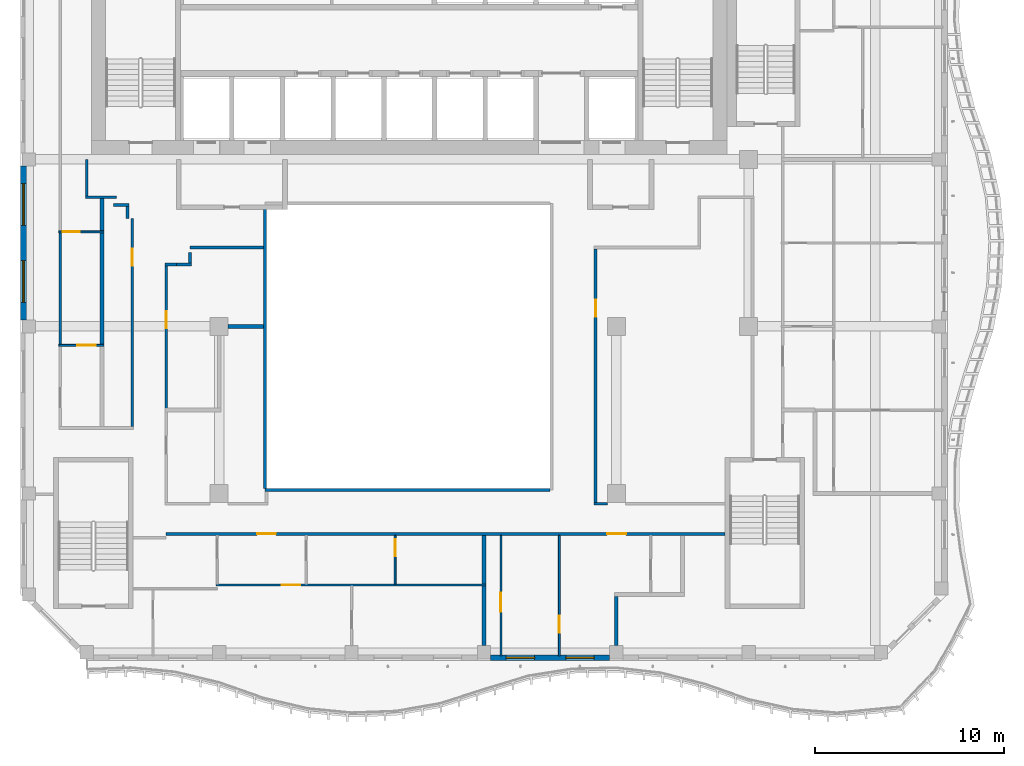
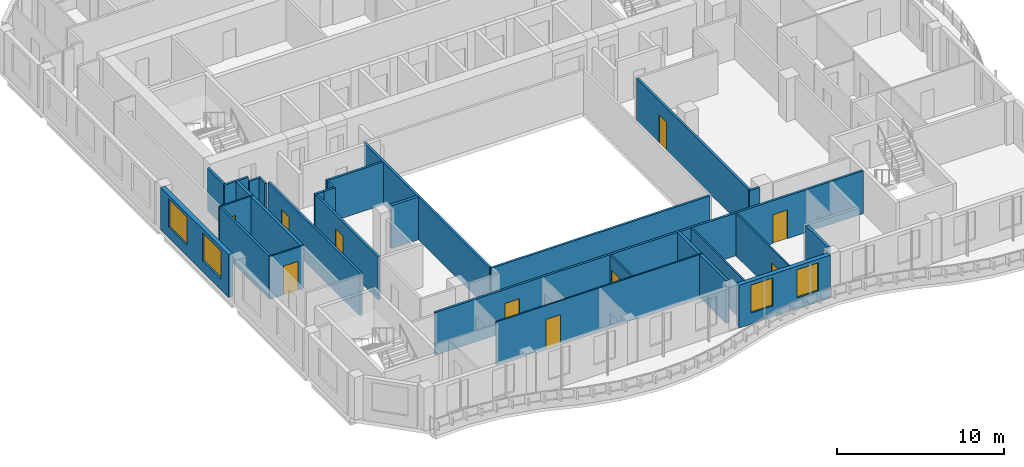
# One storey, part 3 of 20: 30 walls, 11 doors, 4 windows, 15 openings.
"""IFC4 building model written with IfcOpenShell, lengths in metres."""

from ifc_helpers import new_model, si_unit, direction, frame, frame_2d, origin, place, context, subcontext, project, spatial, rectangle, extrude, source, transform, mapped, material, layer, layer_set, type_object, element, fill, save


model = new_model("IFC4")

# Units and contexts
model_context = context("Model", 3, precision=1e-05, world=origin(), true_north=direction((0.0, 1.0)))
body_context = subcontext(model_context, "Body", "Model", "MODEL_VIEW")
ifc_project = project(units=[si_unit("LENGTHUNIT", "METRE"), si_unit("AREAUNIT", "SQUARE_METRE"), si_unit("VOLUMEUNIT", "CUBIC_METRE"), si_unit("PLANEANGLEUNIT", "RADIAN"), si_unit("MASSUNIT", "GRAM", prefix="KILO")], contexts=[model_context])

# Site, building, storey
site_placement = place(None, origin())
site = spatial("IfcSite", under=ifc_project, at=site_placement, CompositionType="ELEMENT")
building_placement = place(site_placement, origin())
building = spatial("IfcBuilding", under=site, at=building_placement, Name="Kilnfold Tower and Market Hall", CompositionType="ELEMENT")
storey_placement = place(building_placement, frame((0.0, 0.0, 239.0)))
storey = spatial("IfcBuildingStorey", under=building, at=storey_placement, Name="L57", CompositionType="ELEMENT", Elevation=239.0)

# Walls
ifc_material_1 = material(Name="Fire-resisting glazed screen")
ifc_layer_1 = layer(ifc_material_1, 0.14990234375)
ifc_layer_set_1 = layer_set([ifc_layer_1], Name="Fire-resisting glazed screen")
wall_type_1 = type_object("IfcWallType", Name="WALL ATRIUM 150", PredefinedType="PARTITIONING", material=ifc_layer_set_1)
wall_1_placement = place(storey_placement, frame((8.5, -9.47509765625, 0.0), z_axis=(0.0, 0.0, 1.0), x_axis=(-1.0, 0.0, 0.0)))
element("IfcWall", 1, at=wall_1_placement, inside=storey, type_object=wall_type_1, Name="Partition LY35.108", PredefinedType="PARTITIONING", context=body_context, shape_type="SweptSolid", body=[
    extrude(rectangle(XDim=15.074951171875, YDim=0.14990234375, at=frame_2d((7.53759765625, 0.0))), origin(), (0.0, 0.0, 1.0), 3.1201171875),
])
wall_2_placement = place(storey_placement, frame((-6.574951171875, -9.39990234375, 0.0), z_axis=(0.0, 0.0, 1.0), x_axis=(0.0, 1.0, 0.0)))
element("IfcWall", 2, at=wall_2_placement, inside=storey, type_object=wall_type_1, Name="Partition LY35.109", PredefinedType="PARTITIONING", context=body_context, shape_type="SweptSolid", body=[
    extrude(rectangle(XDim=15.0, YDim=0.14990234375, at=frame_2d((7.5, 0.0))), origin(), (0.0, 0.0, 1.0), 3.1201171875),
])
ifc_material_2 = material(Name="Gypsum board on steel studs", Category="steel")
ifc_layer_2 = layer(ifc_material_2, 0.14990234375)
ifc_layer_set_2 = layer_set([ifc_layer_2], Name="Gypsum board on steel studs")
wall_type_2 = type_object("IfcWallType", Name="WALL CORRIDOR 150", PredefinedType="PARTITIONING", material=ifc_layer_set_2)
wall_3_placement = place(storey_placement, frame((-17.39990234375, -1.791015625, 0.0), z_axis=(0.0, 0.0, 1.0), x_axis=(0.0, 1.0, 0.0)))
element("IfcWall", 3, at=wall_3_placement, inside=storey, type_object=wall_type_2, Name="Partition LY35.3", PredefinedType="PARTITIONING", context=body_context, shape_type="SweptSolid", body=[
    extrude(rectangle(XDim=5.925048828125, YDim=0.14990234375, at=frame_2d((2.96240234375, 0.0))), origin(), (0.0, 0.0, 1.0), 3.1201171875),
])
wall_4_placement = place(storey_placement, frame((-16.074951171875, 6.0, 0.0), z_axis=(0.0, 0.0, 1.0), x_axis=(1.0, 0.0, 0.0)))
element("IfcWall", 4, at=wall_4_placement, inside=storey, type_object=wall_type_2, Name="Partition LY35.5", PredefinedType="PARTITIONING", context=body_context, shape_type="SweptSolid", body=[
    extrude(rectangle(XDim=1.64990234375, YDim=0.14990234375, at=frame_2d((0.824951171875, 0.0))), origin(), (0.0, 0.0, 1.0), 3.1201171875),
])
wall_5_placement = place(storey_placement, frame((-16.0, 6.074951171875, 0.0), z_axis=(0.0, 0.0, 1.0), x_axis=(0.0, 1.0, 0.0)))
element("IfcWall", 5, at=wall_5_placement, inside=storey, type_object=wall_type_2, Name="Partition LY35.6", PredefinedType="PARTITIONING", context=body_context, shape_type="SweptSolid", body=[
    extrude(rectangle(XDim=1.925048828125, YDim=0.14990234375, at=frame_2d((0.96240234375, 0.0))), origin(), (0.0, 0.0, 1.0), 3.1201171875),
])

# Wall, openings, doors
wall_6_placement = place(storey_placement, frame((-11.800048828125, -11.800048828125, 0.0), z_axis=(0.0, 0.0, 1.0), x_axis=(1.0, 0.0, 0.0)))
wall_6 = element("IfcWall", 6, at=wall_6_placement, inside=storey, type_object=wall_type_2, Name="Partition LY35.9", PredefinedType="PARTITIONING", context=body_context, shape_type="SweptSolid", body=[
    extrude(rectangle(XDim=29.550048828125, YDim=0.14990234375, at=frame_2d((14.77490234375, 0.0))), origin(), (0.0, 0.0, 1.0), 3.1201171875),
])
opening_1_placement = place(wall_6_placement, frame((4.802001953125, 0.0, 0.0)))
opening_1 = element("IfcOpeningElement", 7, at=opening_1_placement, cuts=wall_6, Name="Opening D1", PredefinedType="OPENING", context=body_context, shape_type="SweptSolid", body=[
    extrude(rectangle(XDim=1.0, YDim=2.10009765625, at=frame_2d((0.5, 1.050048828125))), frame((0.0, 0.0849609375, 0.0), z_axis=(0.0, -1.0, 0.0), x_axis=(1.0, 0.0, 0.0)), (0.0, 0.0, 1.0), 0.169921875),
])
opening_2_placement = place(wall_6_placement, frame((23.31396484375, 0.0, 0.0)))
opening_2 = element("IfcOpeningElement", 8, at=opening_2_placement, cuts=wall_6, Name="Opening D1", PredefinedType="OPENING", context=body_context, shape_type="SweptSolid", body=[
    extrude(rectangle(XDim=1.0, YDim=2.10009765625, at=frame_2d((0.5, 1.050048828125))), frame((0.0, 0.0849609375, 0.0), z_axis=(0.0, -1.0, 0.0), x_axis=(1.0, 0.0, 0.0)), (0.0, 0.0, 1.0), 0.169921875),
])
ifc_material_3 = material(Name="Timber veneer door leaf in steel frame", Category="steel")
door_type_1 = type_object("IfcDoorType", Name="DOOR ENTRY 1000 X2100", OperationType="NOTDEFINED", PredefinedType="DOOR", material=ifc_material_3)
door_1_placement = place(opening_1_placement, origin())
door_1 = element("IfcDoor", 9, at=door_1_placement, inside=storey, type_object=door_type_1, Name="Door D1", OperationType="SINGLE_SWING_RIGHT", OverallHeight=2.10009765625, OverallWidth=1.0, PredefinedType="DOOR", context=body_context, shape_type="SweptSolid", body=[
    extrude(rectangle(XDim=1.0, YDim=2.10009765625, at=frame_2d((0.5, 1.050048828125))), frame((0.0, 0.02490234375, 0.0), z_axis=(0.0, -1.0, 0.0), x_axis=(1.0, 0.0, 0.0)), (0.0, 0.0, 1.0), 0.050048828125),
])
fill(opening_1, door_1)
door_2_placement = place(opening_2_placement, origin())
door_2 = element("IfcDoor", 10, at=door_2_placement, inside=storey, type_object=door_type_1, Name="Door D1", OperationType="SINGLE_SWING_RIGHT", OverallHeight=2.10009765625, OverallWidth=1.0, PredefinedType="DOOR", context=body_context, shape_type="SweptSolid", body=[
    extrude(rectangle(XDim=1.0, YDim=2.10009765625, at=frame_2d((0.5, 1.050048828125))), frame((0.0, 0.02490234375, 0.0), z_axis=(0.0, -1.0, 0.0), x_axis=(1.0, 0.0, 0.0)), (0.0, 0.0, 1.0), 0.050048828125),
])
fill(opening_2, door_2)

# Wall, opening, door
wall_7_placement = place(storey_placement, frame((-13.60009765625, 4.87890625, 0.0), z_axis=(0.0, 0.0, 1.0), x_axis=(0.0, -1.0, 0.0)))
wall_7 = element("IfcWall", 11, at=wall_7_placement, inside=storey, type_object=wall_type_2, Name="Partition LY35.28", PredefinedType="PARTITIONING", context=body_context, shape_type="SweptSolid", body=[
    extrude(rectangle(XDim=11.00390625, YDim=0.14990234375, at=frame_2d((5.501953125, 0.0))), origin(), (0.0, 0.0, 1.0), 3.1201171875),
])
opening_3_placement = place(wall_7_placement, frame((1.60107421875, 0.0, 0.0)))
opening_3 = element("IfcOpeningElement", 12, at=opening_3_placement, cuts=wall_7, Name="Opening D2", PredefinedType="OPENING", context=body_context, shape_type="SweptSolid", body=[
    extrude(rectangle(XDim=0.89990234375, YDim=2.10009765625, at=frame_2d((0.449951171875, 1.050048828125))), frame((0.0, 0.0849609375, 0.0), z_axis=(0.0, -1.0, 0.0), x_axis=(1.0, 0.0, 0.0)), (0.0, 0.0, 1.0), 0.169921875),
])
ifc_material_4 = material(Name="Timber veneer door leaf in steel frame", Category="steel")
door_type_2 = type_object("IfcDoorType", Name="DOOR ROOM 900 X2100", OperationType="NOTDEFINED", PredefinedType="DOOR", material=ifc_material_4)
door_3_placement = place(opening_3_placement, origin())
door_3 = element("IfcDoor", 13, at=door_3_placement, inside=storey, type_object=door_type_2, Name="Door D2", OperationType="SINGLE_SWING_LEFT", OverallHeight=2.10009765625, OverallWidth=0.89990234375, PredefinedType="DOOR", context=body_context, shape_type="SweptSolid", body=[
    extrude(rectangle(XDim=0.89990234375, YDim=2.10009765625, at=frame_2d((0.449951171875, 1.050048828125))), frame((0.0, 0.02490234375, 0.0), z_axis=(0.0, -1.0, 0.0), x_axis=(1.0, 0.0, 0.0)), (0.0, 0.0, 1.0), 0.050048828125),
])
fill(opening_3, door_3)

# Walls
wall_8_placement = place(storey_placement, frame((-13.843017578125, 5.52490234375, 0.0), z_axis=(0.0, 0.0, 1.0), x_axis=(0.0, -1.0, 0.0)))
element("IfcWall", 14, at=wall_8_placement, inside=storey, type_object=wall_type_2, Name="Partition LY35.29", PredefinedType="PARTITIONING", context=body_context, shape_type="SweptSolid", body=[
    extrude(rectangle(XDim=0.64599609375, YDim=0.14990234375, at=frame_2d((0.322998046875, 0.0))), origin(), (0.0, 0.0, 1.0), 3.1201171875),
])
wall_9_placement = place(storey_placement, frame((-14.574951171875, 5.60009765625, 0.0), z_axis=(0.0, 0.0, 1.0), x_axis=(1.0, 0.0, 0.0)))
element("IfcWall", 15, at=wall_9_placement, inside=storey, type_object=wall_type_2, Name="Partition LY35.30", PredefinedType="PARTITIONING", context=body_context, shape_type="SweptSolid", body=[
    extrude(rectangle(XDim=0.806884765625, YDim=0.14990234375, at=frame_2d((0.4033203125, 0.0))), origin(), (0.0, 0.0, 1.0), 3.1201171875),
])
wall_10_placement = place(storey_placement, frame((-10.5458984375, 3.35009765625, 0.0), z_axis=(0.0, 0.0, 1.0), x_axis=(1.0, 0.0, 0.0)))
element("IfcWall", 16, at=wall_10_placement, inside=storey, type_object=wall_type_2, Name="Partition LY35.31", PredefinedType="PARTITIONING", context=body_context, shape_type="SweptSolid", body=[
    extrude(rectangle(XDim=3.89599609375, YDim=0.14990234375, at=frame_2d((1.947998046875, 0.0))), origin(), (0.0, 0.0, 1.0), 3.1201171875),
])
wall_11_placement = place(storey_placement, frame((-10.5439453125, 2.52294921875, 0.0), z_axis=(0.0, 0.0, 1.0), x_axis=(0.0, 1.0, 0.0)))
element("IfcWall", 17, at=wall_11_placement, inside=storey, type_object=wall_type_2, Name="Partition LY35.32", PredefinedType="PARTITIONING", context=body_context, shape_type="SweptSolid", body=[
    extrude(rectangle(XDim=0.570068359375, YDim=0.14990234375, at=frame_2d((0.28515625, 0.0))), origin(), (0.0, 0.0, 1.0), 3.1201171875),
])
wall_12_placement = place(storey_placement, frame((-11.261962890625, 2.447998046875, 0.0), z_axis=(0.0, 0.0, 1.0), x_axis=(1.0, 0.0, 0.0)))
element("IfcWall", 18, at=wall_12_placement, inside=storey, type_object=wall_type_2, Name="Partition LY35.33", PredefinedType="PARTITIONING", context=body_context, shape_type="SweptSolid", body=[
    extrude(rectangle(XDim=0.79296875, YDim=0.14990234375, at=frame_2d((0.396484375, 0.0))), origin(), (0.0, 0.0, 1.0), 3.1201171875),
])
wall_13_placement = place(storey_placement, frame((-11.875, 2.449951171875, 0.0), z_axis=(0.0, 0.0, 1.0), x_axis=(1.0, 0.0, 0.0)))
element("IfcWall", 19, at=wall_13_placement, inside=storey, type_object=wall_type_2, Name="Partition LY35.34", PredefinedType="PARTITIONING", context=body_context, shape_type="SweptSolid", body=[
    extrude(rectangle(XDim=0.613037109375, YDim=0.14990234375, at=frame_2d((0.306640625, 0.0))), origin(), (0.0, 0.0, 1.0), 3.1201171875),
])

# Wall, opening, door
wall_14_placement = place(storey_placement, frame((-11.800048828125, -5.159912109375, 0.0), z_axis=(0.0, 0.0, 1.0), x_axis=(0.0, 1.0, 0.0)))
wall_14 = element("IfcWall", 20, at=wall_14_placement, inside=storey, type_object=wall_type_2, Name="Partition LY35.35", PredefinedType="PARTITIONING", context=body_context, shape_type="SweptSolid", body=[
    extrude(rectangle(XDim=7.534912109375, YDim=0.14990234375, at=frame_2d((3.767578125, 0.0))), origin(), (0.0, 0.0, 1.0), 3.1201171875),
])
opening_4_placement = place(wall_14_placement, frame((4.222900390625, 0.0, 0.0)))
opening_4 = element("IfcOpeningElement", 21, at=opening_4_placement, cuts=wall_14, Name="Opening D2", PredefinedType="OPENING", context=body_context, shape_type="SweptSolid", body=[
    extrude(rectangle(XDim=0.89990234375, YDim=2.10009765625, at=frame_2d((0.449951171875, 1.050048828125))), frame((0.0, 0.0849609375, 0.0), z_axis=(0.0, -1.0, 0.0), x_axis=(1.0, 0.0, 0.0)), (0.0, 0.0, 1.0), 0.169921875),
])
door_4_placement = place(opening_4_placement, origin())
door_4 = element("IfcDoor", 22, at=door_4_placement, inside=storey, type_object=door_type_2, Name="Door D2", OperationType="SINGLE_SWING_LEFT", OverallHeight=2.10009765625, OverallWidth=0.89990234375, PredefinedType="DOOR", context=body_context, shape_type="SweptSolid", body=[
    extrude(rectangle(XDim=0.89990234375, YDim=2.10009765625, at=frame_2d((0.449951171875, 1.050048828125))), frame((0.0, 0.02490234375, 0.0), z_axis=(0.0, -1.0, 0.0), x_axis=(1.0, 0.0, 0.0)), (0.0, 0.0, 1.0), 0.050048828125),
])
fill(opening_4, door_4)

wall_15_placement = place(storey_placement, frame((10.89990234375, -10.125, 0.0), z_axis=(0.0, 0.0, 1.0), x_axis=(0.0, 1.0, 0.0)))
wall_15 = element("IfcWall", 23, at=wall_15_placement, inside=storey, type_object=wall_type_2, Name="Partition LY35.45", PredefinedType="PARTITIONING", context=body_context, shape_type="SweptSolid", body=[
    extrude(rectangle(XDim=13.39990234375, YDim=0.14990234375, at=frame_2d((6.699951171875, 0.0))), origin(), (0.0, 0.0, 1.0), 3.1201171875),
])
opening_5_placement = place(wall_15_placement, frame((9.800048828125, 0.0, 0.0)))
opening_5 = element("IfcOpeningElement", 24, at=opening_5_placement, cuts=wall_15, Name="Opening D2", PredefinedType="OPENING", context=body_context, shape_type="SweptSolid", body=[
    extrude(rectangle(XDim=0.89990234375, YDim=2.10009765625, at=frame_2d((0.449951171875, 1.050048828125))), frame((0.0, 0.0849609375, 0.0), z_axis=(0.0, -1.0, 0.0), x_axis=(1.0, 0.0, 0.0)), (0.0, 0.0, 1.0), 0.169921875),
])
door_5_placement = place(opening_5_placement, origin())
door_5 = element("IfcDoor", 25, at=door_5_placement, inside=storey, type_object=door_type_2, Name="Door D2", OperationType="SINGLE_SWING_LEFT", OverallHeight=2.10009765625, OverallWidth=0.89990234375, PredefinedType="DOOR", context=body_context, shape_type="SweptSolid", body=[
    extrude(rectangle(XDim=0.89990234375, YDim=2.10009765625, at=frame_2d((0.449951171875, 1.050048828125))), frame((0.0, 0.02490234375, 0.0), z_axis=(0.0, -1.0, 0.0), x_axis=(1.0, 0.0, 0.0)), (0.0, 0.0, 1.0), 0.050048828125),
])
fill(opening_5, door_5)

# Wall
wall_16_placement = place(storey_placement, frame((10.824951171875, -10.199951171875, 0.0), z_axis=(0.0, 0.0, 1.0), x_axis=(1.0, 0.0, 0.0)))
element("IfcWall", 26, at=wall_16_placement, inside=storey, type_object=wall_type_2, Name="Partition LY35.47", PredefinedType="PARTITIONING", context=body_context, shape_type="SweptSolid", body=[
    extrude(rectangle(XDim=0.699951171875, YDim=0.14990234375, at=frame_2d((0.35009765625, 0.0))), origin(), (0.0, 0.0, 1.0), 3.1201171875),
])

# Wall, opening, door
ifc_material_5 = material(Name="Gypsum board on steel studs", Category="steel")
ifc_layer_3 = layer(ifc_material_5, 0.10009765625)
ifc_layer_set_3 = layer_set([ifc_layer_3], Name="Gypsum board on steel studs")
wall_type_3 = type_object("IfcWallType", Name="WALL PARTITION 100", PredefinedType="PARTITIONING", material=ifc_layer_set_3)
wall_17_placement = place(storey_placement, frame((-15.10009765625, -1.8310546875, 0.0), z_axis=(0.0, 0.0, 1.0), x_axis=(-1.0, 0.0, 0.0)))
wall_17 = element("IfcWall", 27, at=wall_17_placement, inside=storey, type_object=wall_type_3, Name="Partition LY35.48", PredefinedType="PARTITIONING", context=body_context, shape_type="SweptSolid", body=[
    extrude(rectangle(XDim=2.372802734375, YDim=0.10009765625, at=frame_2d((1.1865234375, 0.0))), origin(), (0.0, 0.0, 1.0), 3.1201171875),
])
opening_6_placement = place(wall_17_placement, frame((0.416015625, 0.0, 0.0)))
opening_6 = element("IfcOpeningElement", 28, at=opening_6_placement, cuts=wall_17, Name="Opening D1", PredefinedType="OPENING", context=body_context, shape_type="SweptSolid", body=[
    extrude(rectangle(XDim=1.0, YDim=2.10009765625, at=frame_2d((0.5, 1.050048828125))), frame((0.0, 0.06005859375, 0.0), z_axis=(0.0, -1.0, 0.0), x_axis=(1.0, 0.0, 0.0)), (0.0, 0.0, 1.0), 0.1201171875),
])
door_6_placement = place(opening_6_placement, origin())
door_6 = element("IfcDoor", 29, at=door_6_placement, inside=storey, type_object=door_type_1, Name="Door D1", OperationType="SINGLE_SWING_LEFT", OverallHeight=2.10009765625, OverallWidth=1.0, PredefinedType="DOOR", context=body_context, shape_type="SweptSolid", body=[
    extrude(rectangle(XDim=1.0, YDim=2.10009765625, at=frame_2d((0.5, 1.050048828125))), frame((0.0, 0.02490234375, 0.0), z_axis=(0.0, -1.0, 0.0), x_axis=(1.0, 0.0, 0.0)), (0.0, 0.0, 1.0), 0.050048828125),
])
fill(opening_6, door_6)

wall_18_placement = place(storey_placement, frame((-15.10009765625, 4.174072265625, 0.0), z_axis=(0.0, 0.0, 1.0), x_axis=(-1.0, 0.0, 0.0)))
wall_18 = element("IfcWall", 30, at=wall_18_placement, inside=storey, type_object=wall_type_3, Name="Partition LY35.50", PredefinedType="PARTITIONING", context=body_context, shape_type="SweptSolid", body=[
    extrude(rectangle(XDim=2.372802734375, YDim=0.10009765625, at=frame_2d((1.1865234375, 0.0))), origin(), (0.0, 0.0, 1.0), 3.1201171875),
])
opening_7_placement = place(wall_18_placement, frame((1.27294921875, 0.0, 0.0)))
opening_7 = element("IfcOpeningElement", 31, at=opening_7_placement, cuts=wall_18, Name="Opening D2", PredefinedType="OPENING", context=body_context, shape_type="SweptSolid", body=[
    extrude(rectangle(XDim=0.89990234375, YDim=2.10009765625, at=frame_2d((0.449951171875, 1.050048828125))), frame((0.0, 0.06005859375, 0.0), z_axis=(0.0, -1.0, 0.0), x_axis=(1.0, 0.0, 0.0)), (0.0, 0.0, 1.0), 0.1201171875),
])
door_7_placement = place(opening_7_placement, origin())
door_7 = element("IfcDoor", 32, at=door_7_placement, inside=storey, type_object=door_type_2, Name="Door D2", OperationType="SINGLE_SWING_LEFT", OverallHeight=2.10009765625, OverallWidth=0.89990234375, PredefinedType="DOOR", context=body_context, shape_type="SweptSolid", body=[
    extrude(rectangle(XDim=0.89990234375, YDim=2.10009765625, at=frame_2d((0.449951171875, 1.050048828125))), frame((0.0, 0.02490234375, 0.0), z_axis=(0.0, -1.0, 0.0), x_axis=(1.0, 0.0, 0.0)), (0.0, 0.0, 1.0), 0.050048828125),
])
fill(opening_7, door_7)

wall_19_placement = place(storey_placement, frame((-9.14990234375, -14.5, 0.0), z_axis=(0.0, 0.0, 1.0), x_axis=(1.0, 0.0, 0.0)))
wall_19 = element("IfcWall", 33, at=wall_19_placement, inside=storey, type_object=wall_type_3, Name="Partition LY35.57", PredefinedType="PARTITIONING", context=body_context, shape_type="SweptSolid", body=[
    extrude(rectangle(XDim=14.25, YDim=0.10009765625, at=frame_2d((7.125, 0.0))), origin(), (0.0, 0.0, 1.0), 3.1201171875),
])
opening_8_placement = place(wall_19_placement, frame((3.447998046875, 0.0, 0.0)))
opening_8 = element("IfcOpeningElement", 34, at=opening_8_placement, cuts=wall_19, Name="Opening D1", PredefinedType="OPENING", context=body_context, shape_type="SweptSolid", body=[
    extrude(rectangle(XDim=1.0, YDim=2.10009765625, at=frame_2d((0.5, 1.050048828125))), frame((0.0, 0.06005859375, 0.0), z_axis=(0.0, -1.0, 0.0), x_axis=(1.0, 0.0, 0.0)), (0.0, 0.0, 1.0), 0.1201171875),
])
door_8_placement = place(opening_8_placement, origin())
door_8 = element("IfcDoor", 35, at=door_8_placement, inside=storey, type_object=door_type_1, Name="Door D1", OperationType="SINGLE_SWING_LEFT", OverallHeight=2.10009765625, OverallWidth=1.0, PredefinedType="DOOR", context=body_context, shape_type="SweptSolid", body=[
    extrude(rectangle(XDim=1.0, YDim=2.10009765625, at=frame_2d((0.5, 1.050048828125))), frame((0.0, 0.02490234375, 0.0), z_axis=(0.0, -1.0, 0.0), x_axis=(1.0, 0.0, 0.0)), (0.0, 0.0, 1.0), 0.050048828125),
])
fill(opening_8, door_8)

wall_20_placement = place(storey_placement, frame((0.300048828125, -14.449951171875, 0.0), z_axis=(0.0, 0.0, 1.0), x_axis=(0.0, 1.0, 0.0)))
wall_20 = element("IfcWall", 36, at=wall_20_placement, inside=storey, type_object=wall_type_3, Name="Partition LY35.58", PredefinedType="PARTITIONING", context=body_context, shape_type="SweptSolid", body=[
    extrude(rectangle(XDim=2.572998046875, YDim=0.10009765625, at=frame_2d((1.28662109375, 0.0))), origin(), (0.0, 0.0, 1.0), 3.1201171875),
])
opening_9_placement = place(wall_20_placement, frame((1.472900390625, 0.0, 0.0)))
opening_9 = element("IfcOpeningElement", 37, at=opening_9_placement, cuts=wall_20, Name="Opening D2", PredefinedType="OPENING", context=body_context, shape_type="SweptSolid", body=[
    extrude(rectangle(XDim=0.89990234375, YDim=2.10009765625, at=frame_2d((0.449951171875, 1.050048828125))), frame((0.0, 0.06005859375, 0.0), z_axis=(0.0, -1.0, 0.0), x_axis=(1.0, 0.0, 0.0)), (0.0, 0.0, 1.0), 0.1201171875),
])
door_9_placement = place(opening_9_placement, origin())
door_9 = element("IfcDoor", 38, at=door_9_placement, inside=storey, type_object=door_type_2, Name="Door D2", OperationType="SINGLE_SWING_LEFT", OverallHeight=2.10009765625, OverallWidth=0.89990234375, PredefinedType="DOOR", context=body_context, shape_type="SweptSolid", body=[
    extrude(rectangle(XDim=0.89990234375, YDim=2.10009765625, at=frame_2d((0.449951171875, 1.050048828125))), frame((0.0, 0.02490234375, 0.0), z_axis=(0.0, -1.0, 0.0), x_axis=(1.0, 0.0, 0.0)), (0.0, 0.0, 1.0), 0.050048828125),
])
fill(opening_9, door_9)

wall_21_placement = place(storey_placement, frame((5.89990234375, -18.25, 0.0), z_axis=(0.0, 0.0, 1.0), x_axis=(0.0, 1.0, 0.0)))
wall_21 = element("IfcWall", 39, at=wall_21_placement, inside=storey, type_object=wall_type_3, Name="Partition LY35.63", PredefinedType="PARTITIONING", context=body_context, shape_type="SweptSolid", body=[
    extrude(rectangle(XDim=6.373046875, YDim=0.10009765625, at=frame_2d((3.1865234375, 0.0))), origin(), (0.0, 0.0, 1.0), 3.1201171875),
])
opening_10_placement = place(wall_21_placement, frame((2.3310546875, 0.0, 0.0)))
opening_10 = element("IfcOpeningElement", 40, at=opening_10_placement, cuts=wall_21, Name="Opening D1", PredefinedType="OPENING", context=body_context, shape_type="SweptSolid", body=[
    extrude(rectangle(XDim=1.0, YDim=2.10009765625, at=frame_2d((0.5, 1.050048828125))), frame((0.0, 0.06005859375, 0.0), z_axis=(0.0, -1.0, 0.0), x_axis=(1.0, 0.0, 0.0)), (0.0, 0.0, 1.0), 0.1201171875),
])
door_10_placement = place(opening_10_placement, origin())
door_10 = element("IfcDoor", 41, at=door_10_placement, inside=storey, type_object=door_type_1, Name="Door D1", OperationType="SINGLE_SWING_RIGHT", OverallHeight=2.10009765625, OverallWidth=1.0, PredefinedType="DOOR", context=body_context, shape_type="SweptSolid", body=[
    extrude(rectangle(XDim=1.0, YDim=2.10009765625, at=frame_2d((0.5, 1.050048828125))), frame((0.0, 0.02490234375, 0.0), z_axis=(0.0, -1.0, 0.0), x_axis=(1.0, 0.0, 0.0)), (0.0, 0.0, 1.0), 0.050048828125),
])
fill(opening_10, door_10)

wall_22_placement = place(storey_placement, frame((8.989990234375, -18.25, 0.0), z_axis=(0.0, 0.0, 1.0), x_axis=(0.0, 1.0, 0.0)))
wall_22 = element("IfcWall", 42, at=wall_22_placement, inside=storey, type_object=wall_type_3, Name="Partition LY35.64", PredefinedType="PARTITIONING", context=body_context, shape_type="SweptSolid", body=[
    extrude(rectangle(XDim=6.373046875, YDim=0.10009765625, at=frame_2d((3.1865234375, 0.0))), origin(), (0.0, 0.0, 1.0), 3.1201171875),
])
opening_11_placement = place(wall_22_placement, frame((1.215087890625, 0.0, 0.0)))
opening_11 = element("IfcOpeningElement", 43, at=opening_11_placement, cuts=wall_22, Name="Opening D2", PredefinedType="OPENING", context=body_context, shape_type="SweptSolid", body=[
    extrude(rectangle(XDim=0.89990234375, YDim=2.10009765625, at=frame_2d((0.449951171875, 1.050048828125))), frame((0.0, 0.06005859375, 0.0), z_axis=(0.0, -1.0, 0.0), x_axis=(1.0, 0.0, 0.0)), (0.0, 0.0, 1.0), 0.1201171875),
])
door_11_placement = place(opening_11_placement, origin())
door_11 = element("IfcDoor", 44, at=door_11_placement, inside=storey, type_object=door_type_2, Name="Door D2", OperationType="SINGLE_SWING_LEFT", OverallHeight=2.10009765625, OverallWidth=0.89990234375, PredefinedType="DOOR", context=body_context, shape_type="SweptSolid", body=[
    extrude(rectangle(XDim=0.89990234375, YDim=2.10009765625, at=frame_2d((0.449951171875, 1.050048828125))), frame((0.0, 0.02490234375, 0.0), z_axis=(0.0, -1.0, 0.0), x_axis=(1.0, 0.0, 0.0)), (0.0, 0.0, 1.0), 0.050048828125),
])
fill(opening_11, door_11)

# Walls
ifc_material_6 = material(Name="Gypsum board on steel studs", Category="steel")
ifc_layer_4 = layer(ifc_material_6, 0.199951171875)
ifc_layer_set_4 = layer_set([ifc_layer_4], Name="Gypsum board on steel studs")
wall_type_4 = type_object("IfcWallType", Name="WALL PARTY 200", PredefinedType="PARTITIONING", material=ifc_layer_set_4)
wall_23_placement = place(storey_placement, frame((-15.199951171875, -1.781005859375, 0.0), z_axis=(0.0, 0.0, 1.0), x_axis=(0.0, 1.0, 0.0)))
element("IfcWall", 45, at=wall_23_placement, inside=storey, type_object=wall_type_4, Name="Partition LY35.51", PredefinedType="PARTITIONING", context=body_context, shape_type="SweptSolid", body=[
    extrude(rectangle(XDim=5.905029296875, YDim=0.199951171875, at=frame_2d((2.95263671875, 0.0))), origin(), (0.0, 0.0, 1.0), 3.1201171875),
])
wall_24_placement = place(storey_placement, frame((-15.199951171875, 4.22412109375, 0.0), z_axis=(0.0, 0.0, 1.0), x_axis=(0.0, 1.0, 0.0)))
element("IfcWall", 46, at=wall_24_placement, inside=storey, type_object=wall_type_4, Name="Partition LY35.53", PredefinedType="PARTITIONING", context=body_context, shape_type="SweptSolid", body=[
    extrude(rectangle(XDim=1.698974609375, YDim=0.199951171875, at=frame_2d((0.849609375, 0.0))), origin(), (0.0, 0.0, 1.0), 3.1201171875),
])
wall_25_placement = place(storey_placement, frame((5.0, -14.449951171875, 0.0), z_axis=(0.0, 0.0, 1.0), x_axis=(0.0, 1.0, 0.0)))
element("IfcWall", 47, at=wall_25_placement, inside=storey, type_object=wall_type_4, Name="Partition LY35.59", PredefinedType="PARTITIONING", context=body_context, shape_type="SweptSolid", body=[
    extrude(rectangle(XDim=2.572998046875, YDim=0.199951171875, at=frame_2d((1.28662109375, 0.0))), origin(), (0.0, 0.0, 1.0), 3.1201171875),
])
wall_26_placement = place(storey_placement, frame((5.0, -17.699951171875, 0.0), z_axis=(0.0, 0.0, 1.0), x_axis=(0.0, 1.0, 0.0)))
element("IfcWall", 48, at=wall_26_placement, inside=storey, type_object=wall_type_4, Name="Partition LY35.62", PredefinedType="PARTITIONING", context=body_context, shape_type="SweptSolid", body=[
    extrude(rectangle(XDim=3.14794921875, YDim=0.199951171875, at=frame_2d((1.573974609375, 0.0))), origin(), (0.0, 0.0, 1.0), 3.1201171875),
])
wall_27_placement = place(storey_placement, frame((12.0, -17.699951171875, 0.0), z_axis=(0.0, 0.0, 1.0), x_axis=(0.0, 1.0, 0.0)))
element("IfcWall", 49, at=wall_27_placement, inside=storey, type_object=wall_type_4, Name="Partition LY35.67", PredefinedType="PARTITIONING", context=body_context, shape_type="SweptSolid", body=[
    extrude(rectangle(XDim=2.599853515625, YDim=0.199951171875, at=frame_2d((1.2998046875, 0.0))), origin(), (0.0, 0.0, 1.0), 3.1201171875),
])
wall_28_placement = place(storey_placement, frame((-8.52490234375, -0.8330078125, 0.0), z_axis=(0.0, 0.0, 1.0), x_axis=(1.0, 0.0, 0.0)))
element("IfcWall", 50, at=wall_28_placement, inside=storey, type_object=wall_type_4, Name="Partition LY35.105", PredefinedType="PARTITIONING", context=body_context, shape_type="SweptSolid", body=[
    extrude(rectangle(XDim=1.875, YDim=0.199951171875, at=frame_2d((0.9375, 0.0))), origin(), (0.0, 0.0, 1.0), 3.1201171875),
])

# Wall, openings, windows
ifc_material_7 = material(Name="Precast concrete C50/60", Category="concrete")
ifc_layer_5 = layer(ifc_material_7, 0.300048828125)
ifc_layer_set_5 = layer_set([ifc_layer_5], Name="Precast concrete C50/60")
wall_type_5 = type_object("IfcWallType", Name="PRECAST WALL 300", PredefinedType="SOLIDWALL", material=ifc_layer_set_5)
shared_shape_1 = source(origin(), body_context, "Body", "SweptSolid", [
    extrude(rectangle(XDim=6.2998046875, YDim=0.300048828125, at=frame_2d((3.14990234375, 0.0))), origin(), (0.0, 0.0, 1.0), 3.1201171875),
])
wall_29_placement = place(storey_placement, frame((5.35009765625, -18.35009765625, 0.0), z_axis=(0.0, 0.0, 1.0), x_axis=(1.0, 0.0, 0.0)))
wall_29 = element("IfcWall", 51, at=wall_29_placement, inside=storey, type_object=wall_type_5, Name="External wall L57 S", PredefinedType="SOLIDWALL", context=body_context, shape_type="MappedRepresentation", body=[
    mapped(shared_shape_1, transform((0.0, 0.0, 0.0))),
])
opening_12_placement = place(wall_29_placement, frame((0.824951171875, 0.0, 0.800048828125)))
opening_12 = element("IfcOpeningElement", 52, at=opening_12_placement, cuts=wall_29, Name="Opening W5", PredefinedType="OPENING", context=body_context, shape_type="SweptSolid", body=[
    extrude(rectangle(XDim=1.5, YDim=2.050048828125, at=frame_2d((0.75, 1.02490234375))), frame((0.0, 0.16015625, 0.0), z_axis=(0.0, -1.0, 0.0), x_axis=(1.0, 0.0, 0.0)), (0.0, 0.0, 1.0), 0.320068359375),
])
opening_13_placement = place(wall_29_placement, frame((3.97509765625, 0.0, 0.800048828125)))
opening_13 = element("IfcOpeningElement", 53, at=opening_13_placement, cuts=wall_29, Name="Opening W5", PredefinedType="OPENING", context=body_context, shape_type="SweptSolid", body=[
    extrude(rectangle(XDim=1.5, YDim=2.050048828125, at=frame_2d((0.75, 1.02490234375))), frame((0.0, 0.16015625, 0.0), z_axis=(0.0, -1.0, 0.0), x_axis=(1.0, 0.0, 0.0)), (0.0, 0.0, 1.0), 0.320068359375),
])
ifc_material_8 = material(Name="Aluminium frame and double glazing", Category="aluminium")
window_type_1 = type_object("IfcWindowType", Name="WINDOW W5 1500X2050", PartitioningType="SINGLE_PANEL", PredefinedType="WINDOW", material=ifc_material_8)
window_1_placement = place(opening_12_placement, origin())
window_1 = element("IfcWindow", 54, at=window_1_placement, inside=storey, type_object=window_type_1, Name="Window W5 L57 S-1", OverallHeight=2.050048828125, OverallWidth=1.5, PartitioningType="SINGLE_PANEL", PredefinedType="WINDOW", context=body_context, shape_type="SweptSolid", body=[
    extrude(rectangle(XDim=1.5, YDim=2.050048828125, at=frame_2d((0.75, 1.02490234375))), frame((0.0, 0.030029296875, 0.0), z_axis=(0.0, -1.0, 0.0), x_axis=(1.0, 0.0, 0.0)), (0.0, 0.0, 1.0), 0.06005859375),
])
fill(opening_12, window_1)
window_2_placement = place(opening_13_placement, origin())
window_2 = element("IfcWindow", 55, at=window_2_placement, inside=storey, type_object=window_type_1, Name="Window W5 L57 S-2", OverallHeight=2.050048828125, OverallWidth=1.5, PartitioningType="SINGLE_PANEL", PredefinedType="WINDOW", context=body_context, shape_type="SweptSolid", body=[
    extrude(rectangle(XDim=1.5, YDim=2.050048828125, at=frame_2d((0.75, 1.02490234375))), frame((0.0, 0.030029296875, 0.0), z_axis=(0.0, -1.0, 0.0), x_axis=(1.0, 0.0, 0.0)), (0.0, 0.0, 1.0), 0.06005859375),
])
fill(opening_13, window_2)

shared_shape_2 = source(origin(), body_context, "Body", "SweptSolid", [
    extrude(rectangle(XDim=8.13330078125, YDim=0.300048828125, at=frame_2d((4.066650390625, 0.0))), origin(), (0.0, 0.0, 1.0), 3.1201171875),
])
wall_30_placement = place(storey_placement, frame((-19.35009765625, 7.64990234375, 0.0), z_axis=(0.0, 0.0, 1.0), x_axis=(0.0, -1.0, 0.0)))
wall_30 = element("IfcWall", 56, at=wall_30_placement, inside=storey, type_object=wall_type_5, Name="External wall L57 W", PredefinedType="SOLIDWALL", context=body_context, shape_type="MappedRepresentation", body=[
    mapped(shared_shape_2, transform((0.0, 0.0, 0.0))),
])
opening_14_placement = place(wall_30_placement, frame((0.933349609375, 0.0, 0.800048828125)))
opening_14 = element("IfcOpeningElement", 57, at=opening_14_placement, cuts=wall_30, Name="Opening W3", PredefinedType="OPENING", context=body_context, shape_type="SweptSolid", body=[
    extrude(rectangle(XDim=2.199951171875, YDim=2.050048828125, at=frame_2d((1.10009765625, 1.02490234375))), frame((0.0, 0.16015625, 0.0), z_axis=(0.0, -1.0, 0.0), x_axis=(1.0, 0.0, 0.0)), (0.0, 0.0, 1.0), 0.320068359375),
])
opening_15_placement = place(wall_30_placement, frame((5.0, 0.0, 0.800048828125)))
opening_15 = element("IfcOpeningElement", 58, at=opening_15_placement, cuts=wall_30, Name="Opening W3", PredefinedType="OPENING", context=body_context, shape_type="SweptSolid", body=[
    extrude(rectangle(XDim=2.199951171875, YDim=2.050048828125, at=frame_2d((1.10009765625, 1.02490234375))), frame((0.0, 0.16015625, 0.0), z_axis=(0.0, -1.0, 0.0), x_axis=(1.0, 0.0, 0.0)), (0.0, 0.0, 1.0), 0.320068359375),
])
ifc_material_9 = material(Name="Aluminium frame and double glazing", Category="aluminium")
window_type_2 = type_object("IfcWindowType", Name="WINDOW W3 2200X2050", PartitioningType="SINGLE_PANEL", PredefinedType="WINDOW", material=ifc_material_9)
window_3_placement = place(opening_14_placement, origin())
window_3 = element("IfcWindow", 59, at=window_3_placement, inside=storey, type_object=window_type_2, Name="Window W3 L57 W-1", OverallHeight=2.050048828125, OverallWidth=2.199951171875, PartitioningType="SINGLE_PANEL", PredefinedType="WINDOW", context=body_context, shape_type="SweptSolid", body=[
    extrude(rectangle(XDim=2.199951171875, YDim=2.050048828125, at=frame_2d((1.10009765625, 1.02490234375))), frame((0.0, 0.030029296875, 0.0), z_axis=(0.0, -1.0, 0.0), x_axis=(1.0, 0.0, 0.0)), (0.0, 0.0, 1.0), 0.06005859375),
])
fill(opening_14, window_3)
window_4_placement = place(opening_15_placement, origin())
window_4 = element("IfcWindow", 60, at=window_4_placement, inside=storey, type_object=window_type_2, Name="Window W3 L57 W-2", OverallHeight=2.050048828125, OverallWidth=2.199951171875, PartitioningType="SINGLE_PANEL", PredefinedType="WINDOW", context=body_context, shape_type="SweptSolid", body=[
    extrude(rectangle(XDim=2.199951171875, YDim=2.050048828125, at=frame_2d((1.10009765625, 1.02490234375))), frame((0.0, 0.030029296875, 0.0), z_axis=(0.0, -1.0, 0.0), x_axis=(1.0, 0.0, 0.0)), (0.0, 0.0, 1.0), 0.06005859375),
])
fill(opening_15, window_4)

save(model, "model.ifc")
